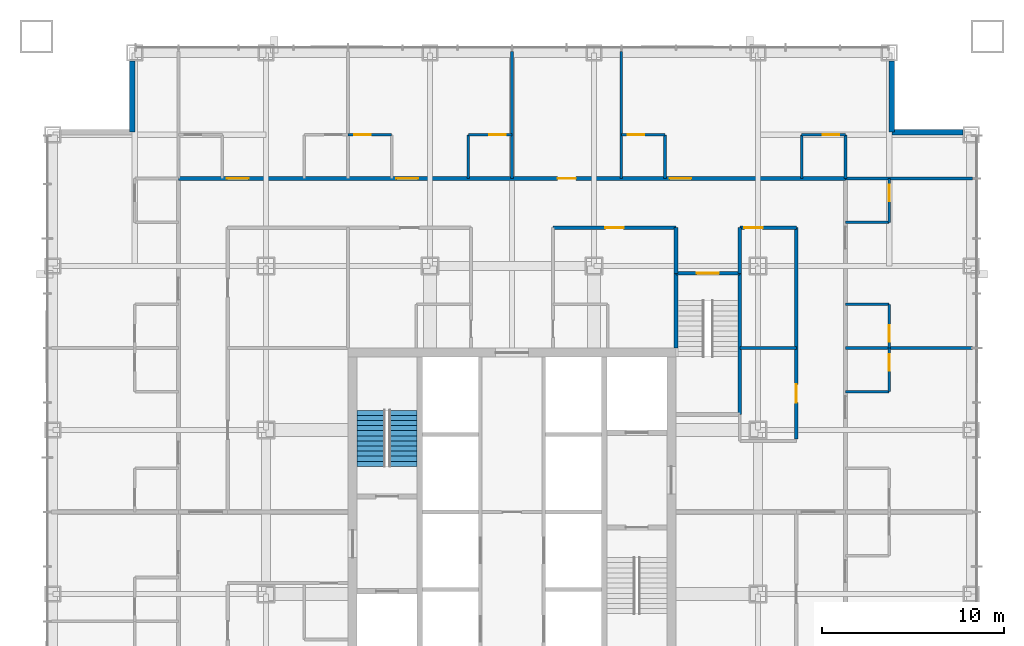
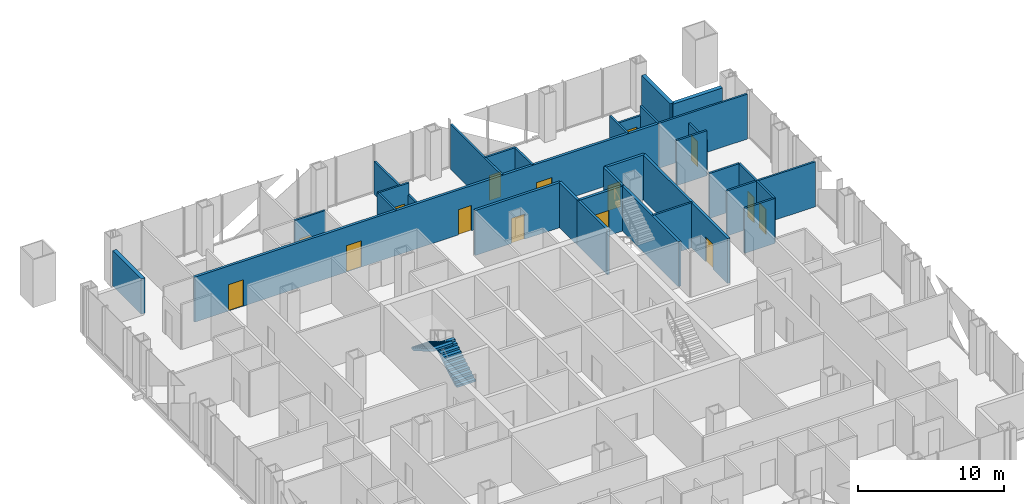
# One storey, part 11 of 13: 31 walls, 15 doors, 2 stair flights, 15 openings, 1 element without a shape of its own.
"""IFC4 building model written with IfcOpenShell, lengths in metres."""

from ifc_helpers import new_model, si_unit, direction, frame, frame_2d, origin, place, context, subcontext, project, spatial, polyline, rectangle, outline, extrude, material, layer, layer_set, type_object, element, fill, aggregate, save


model = new_model("IFC4")

# Units and contexts
model_context = context("Model", 3, precision=1e-05, world=origin(), true_north=direction((0.0, 1.0)))
body_context = subcontext(model_context, "Body", "Model", "MODEL_VIEW")
ifc_project = project(units=[si_unit("LENGTHUNIT", "METRE"), si_unit("AREAUNIT", "SQUARE_METRE"), si_unit("VOLUMEUNIT", "CUBIC_METRE"), si_unit("PLANEANGLEUNIT", "RADIAN"), si_unit("MASSUNIT", "GRAM", prefix="KILO")], contexts=[model_context])

# Site, building, storey
site_placement = place(None, origin())
site = spatial("IfcSite", under=ifc_project, at=site_placement, CompositionType="ELEMENT")
building_placement = place(site_placement, origin())
building = spatial("IfcBuilding", under=site, at=building_placement, Name="Malebo Sky Hospital", CompositionType="ELEMENT")
storey_placement = place(building_placement, frame((0.0, 0.0, 39.0)))
storey = spatial("IfcBuildingStorey", under=building, at=storey_placement, Name="L08", CompositionType="ELEMENT", Elevation=39.0)

# Wall, openings, doors
ifc_material_1 = material(Name="Gypsum board on steel studs", Category="steel")
ifc_layer_1 = layer(ifc_material_1, 0.199951171875)
ifc_layer_set_1 = layer_set([ifc_layer_1], Name="CORRIDOR WALL 200")
wall_type_1 = type_object("IfcWallType", Name="CORRIDOR WALL 200", PredefinedType="PARTITIONING", material=ifc_layer_set_1)
wall_1_placement = place(storey_placement, frame((41.699951171875, 80.300048828125, 0.0), z_axis=(0.0, 0.0, 1.0), x_axis=(1.0, 0.0, 0.0)))
wall_1 = element("IfcWall", 1, at=wall_1_placement, inside=storey, type_object=wall_type_1, Name="Corridor Wall 200 NCO", PredefinedType="PARTITIONING", context=body_context, shape_type="SweptSolid", body=[
    extrude(rectangle(XDim=36.60009765625, YDim=0.199951171875, at=frame_2d((18.300048828125, 0.0))), origin(), (0.0, 0.0, 1.0), 3.75),
])
opening_1_placement = place(wall_1_placement, frame((2.64990234375, 0.0, 0.0)))
opening_1 = element("IfcOpeningElement", 2, at=opening_1_placement, cuts=wall_1, Name="Opening D01", PredefinedType="OPENING", context=body_context, shape_type="SweptSolid", body=[
    extrude(rectangle(XDim=1.199951171875, YDim=2.199951171875, at=frame_2d((0.60009765625, 1.10009765625))), frame((0.0, 0.10986328125, 0.0), z_axis=(0.0, -1.0, 0.0), x_axis=(1.0, 0.0, 0.0)), (0.0, 0.0, 1.0), 0.219970703125),
])
opening_2_placement = place(wall_1_placement, frame((11.949951171875, 0.0, 0.0)))
opening_2 = element("IfcOpeningElement", 3, at=opening_2_placement, cuts=wall_1, Name="Opening D01", PredefinedType="OPENING", context=body_context, shape_type="SweptSolid", body=[
    extrude(rectangle(XDim=1.199951171875, YDim=2.199951171875, at=frame_2d((0.60009765625, 1.10009765625))), frame((0.0, 0.10986328125, 0.0), z_axis=(0.0, -1.0, 0.0), x_axis=(1.0, 0.0, 0.0)), (0.0, 0.0, 1.0), 0.219970703125),
])
opening_3_placement = place(wall_1_placement, frame((20.800048828125, 0.0, 0.0)))
opening_3 = element("IfcOpeningElement", 4, at=opening_3_placement, cuts=wall_1, Name="Opening D03", PredefinedType="OPENING", context=body_context, shape_type="SweptSolid", body=[
    extrude(rectangle(XDim=1.0, YDim=2.10009765625, at=frame_2d((0.5, 1.050048828125))), frame((0.0, 0.10986328125, 0.0), z_axis=(0.0, -1.0, 0.0), x_axis=(1.0, 0.0, 0.0)), (0.0, 0.0, 1.0), 0.219970703125),
])
opening_4_placement = place(wall_1_placement, frame((26.949951171875, 0.0, 0.0)))
opening_4 = element("IfcOpeningElement", 5, at=opening_4_placement, cuts=wall_1, Name="Opening D01", PredefinedType="OPENING", context=body_context, shape_type="SweptSolid", body=[
    extrude(rectangle(XDim=1.199951171875, YDim=2.199951171875, at=frame_2d((0.60009765625, 1.10009765625))), frame((0.0, 0.10986328125, 0.0), z_axis=(0.0, -1.0, 0.0), x_axis=(1.0, 0.0, 0.0)), (0.0, 0.0, 1.0), 0.219970703125),
])
ifc_material_2 = material(Name="Hardwood-faced door leaf in steel frame", Category="steel")
door_type_1 = type_object("IfcDoorType", Name="BED DOOR 1200", OperationType="SINGLE_SWING_LEFT", PredefinedType="DOOR", material=ifc_material_2)
door_1_placement = place(opening_1_placement, origin())
door_1 = element("IfcDoor", 6, at=door_1_placement, inside=storey, type_object=door_type_1, Name="Four-bed bay door", OperationType="SINGLE_SWING_LEFT", OverallHeight=2.199951171875, OverallWidth=1.199951171875, PredefinedType="DOOR", context=body_context, shape_type="SweptSolid", body=[
    extrude(rectangle(XDim=1.199951171875, YDim=2.199951171875, at=frame_2d((0.60009765625, 1.10009765625))), frame((0.0, 0.02490234375, 0.0), z_axis=(0.0, -1.0, 0.0), x_axis=(1.0, 0.0, 0.0)), (0.0, 0.0, 1.0), 0.050048828125),
])
fill(opening_1, door_1)
door_2_placement = place(opening_2_placement, origin())
door_2 = element("IfcDoor", 7, at=door_2_placement, inside=storey, type_object=door_type_1, Name="Four-bed bay door", OperationType="SINGLE_SWING_LEFT", OverallHeight=2.199951171875, OverallWidth=1.199951171875, PredefinedType="DOOR", context=body_context, shape_type="SweptSolid", body=[
    extrude(rectangle(XDim=1.199951171875, YDim=2.199951171875, at=frame_2d((0.60009765625, 1.10009765625))), frame((0.0, 0.02490234375, 0.0), z_axis=(0.0, -1.0, 0.0), x_axis=(1.0, 0.0, 0.0)), (0.0, 0.0, 1.0), 0.050048828125),
])
fill(opening_2, door_2)
door_3_placement = place(opening_4_placement, origin())
door_3 = element("IfcDoor", 8, at=door_3_placement, inside=storey, type_object=door_type_1, Name="Four-bed bay door", OperationType="SINGLE_SWING_LEFT", OverallHeight=2.199951171875, OverallWidth=1.199951171875, PredefinedType="DOOR", context=body_context, shape_type="SweptSolid", body=[
    extrude(rectangle(XDim=1.199951171875, YDim=2.199951171875, at=frame_2d((0.60009765625, 1.10009765625))), frame((0.0, 0.02490234375, 0.0), z_axis=(0.0, -1.0, 0.0), x_axis=(1.0, 0.0, 0.0)), (0.0, 0.0, 1.0), 0.050048828125),
])
fill(opening_4, door_3)
door_type_2 = type_object("IfcDoorType", Name="ROOM DOOR 1000", OperationType="SINGLE_SWING_LEFT", PredefinedType="DOOR", material=ifc_material_2)
door_4_placement = place(opening_3_placement, origin())
door_4 = element("IfcDoor", 9, at=door_4_placement, inside=storey, type_object=door_type_2, Name="Patient day room door", OperationType="SINGLE_SWING_LEFT", OverallHeight=2.10009765625, OverallWidth=1.0, PredefinedType="DOOR", context=body_context, shape_type="SweptSolid", body=[
    extrude(rectangle(XDim=1.0, YDim=2.10009765625, at=frame_2d((0.5, 1.050048828125))), frame((0.0, 0.02490234375, 0.0), z_axis=(0.0, -1.0, 0.0), x_axis=(1.0, 0.0, 0.0)), (0.0, 0.0, 1.0), 0.050048828125),
])
fill(opening_3, door_4)

# Wall, opening, door
wall_2_placement = place(storey_placement, frame((62.25, 77.60009765625, 0.0), z_axis=(0.0, 0.0, 1.0), x_axis=(1.0, 0.0, 0.0)))
wall_2 = element("IfcWall", 10, at=wall_2_placement, inside=storey, type_object=wall_type_1, Name="Corridor Wall 200 NCI2", PredefinedType="PARTITIONING", context=body_context, shape_type="SweptSolid", body=[
    extrude(rectangle(XDim=6.75, YDim=0.199951171875, at=frame_2d((3.375, 0.0))), origin(), (0.0, 0.0, 1.0), 3.75),
])
opening_5_placement = place(wall_2_placement, frame((2.875, 0.0, 0.0)))
opening_5 = element("IfcOpeningElement", 11, at=opening_5_placement, cuts=wall_2, Name="Opening D03", PredefinedType="OPENING", context=body_context, shape_type="SweptSolid", body=[
    extrude(rectangle(XDim=1.0, YDim=2.10009765625, at=frame_2d((0.5, 1.050048828125))), frame((0.0, 0.10986328125, 0.0), z_axis=(0.0, -1.0, 0.0), x_axis=(1.0, 0.0, 0.0)), (0.0, 0.0, 1.0), 0.219970703125),
])
door_5_placement = place(opening_5_placement, origin())
door_5 = element("IfcDoor", 12, at=door_5_placement, inside=storey, type_object=door_type_2, Name="Equipment store door", OperationType="SINGLE_SWING_RIGHT", OverallHeight=2.10009765625, OverallWidth=1.0, PredefinedType="DOOR", context=body_context, shape_type="SweptSolid", body=[
    extrude(rectangle(XDim=1.0, YDim=2.10009765625, at=frame_2d((0.5, 1.050048828125))), frame((0.0, 0.02490234375, 0.0), z_axis=(0.0, -1.0, 0.0), x_axis=(1.0, 0.0, 0.0)), (0.0, 0.0, 1.0), 0.050048828125),
])
fill(opening_5, door_5)

wall_3_placement = place(storey_placement, frame((72.5, 77.60009765625, 0.0), z_axis=(0.0, 0.0, 1.0), x_axis=(1.0, 0.0, 0.0)))
wall_3 = element("IfcWall", 13, at=wall_3_placement, inside=storey, type_object=wall_type_1, Name="Corridor Wall 200 NCI2/2", PredefinedType="PARTITIONING", context=body_context, shape_type="SweptSolid", body=[
    extrude(rectangle(XDim=3.10009765625, YDim=0.199951171875, at=frame_2d((1.550048828125, 0.0))), origin(), (0.0, 0.0, 1.0), 3.75),
])
opening_6_placement = place(wall_3_placement, frame((0.25, 0.0, 0.0)))
opening_6 = element("IfcOpeningElement", 14, at=opening_6_placement, cuts=wall_3, Name="Opening D03", PredefinedType="OPENING", context=body_context, shape_type="SweptSolid", body=[
    extrude(rectangle(XDim=1.0, YDim=2.10009765625, at=frame_2d((0.5, 1.050048828125))), frame((0.0, 0.10986328125, 0.0), z_axis=(0.0, -1.0, 0.0), x_axis=(1.0, 0.0, 0.0)), (0.0, 0.0, 1.0), 0.219970703125),
])
door_6_placement = place(opening_6_placement, origin())
door_6 = element("IfcDoor", 15, at=door_6_placement, inside=storey, type_object=door_type_2, Name="Interview room door", OperationType="SINGLE_SWING_LEFT", OverallHeight=2.10009765625, OverallWidth=1.0, PredefinedType="DOOR", context=body_context, shape_type="SweptSolid", body=[
    extrude(rectangle(XDim=1.0, YDim=2.10009765625, at=frame_2d((0.5, 1.050048828125))), frame((0.0, 0.02490234375, 0.0), z_axis=(0.0, -1.0, 0.0), x_axis=(1.0, 0.0, 0.0)), (0.0, 0.0, 1.0), 0.050048828125),
])
fill(opening_6, door_6)

wall_4_placement = place(storey_placement, frame((75.60009765625, 77.60009765625, 0.0), z_axis=(0.0, 0.0, 1.0), x_axis=(0.0, -1.0, 0.0)))
wall_4 = element("IfcWall", 16, at=wall_4_placement, inside=storey, type_object=wall_type_1, Name="Corridor Wall 200 ECI1", PredefinedType="PARTITIONING", context=body_context, shape_type="SweptSolid", body=[
    extrude(rectangle(XDim=11.60009765625, YDim=0.199951171875, at=frame_2d((5.800048828125, 0.0))), origin(), (0.0, 0.0, 1.0), 3.75),
])
opening_7_placement = place(wall_4_placement, frame((8.60009765625, 0.0, 0.0)))
opening_7 = element("IfcOpeningElement", 17, at=opening_7_placement, cuts=wall_4, Name="Opening D03", PredefinedType="OPENING", context=body_context, shape_type="SweptSolid", body=[
    extrude(rectangle(XDim=1.0, YDim=2.10009765625, at=frame_2d((0.5, 1.050048828125))), frame((0.0, 0.10986328125, 0.0), z_axis=(0.0, -1.0, 0.0), x_axis=(1.0, 0.0, 0.0)), (0.0, 0.0, 1.0), 0.219970703125),
])
door_7_placement = place(opening_7_placement, origin())
door_7 = element("IfcDoor", 18, at=door_7_placement, inside=storey, type_object=door_type_2, Name="Medication room door", OperationType="SINGLE_SWING_LEFT", OverallHeight=2.10009765625, OverallWidth=1.0, PredefinedType="DOOR", context=body_context, shape_type="SweptSolid", body=[
    extrude(rectangle(XDim=1.0, YDim=2.10009765625, at=frame_2d((0.5, 1.050048828125))), frame((0.0, 0.02490234375, 0.0), z_axis=(0.0, -1.0, 0.0), x_axis=(1.0, 0.0, 0.0)), (0.0, 0.0, 1.0), 0.050048828125),
])
fill(opening_7, door_7)

# Walls
for number, where, z_axis, x_axis, name in (
    (19, (69.0, 75.10009765625, 0.0), (0.0, 0.0, 1.0), (0.0, 1.0, 0.0), "Corridor Wall 200 ST3AW"),
    (20, (72.5, 75.10009765625, 0.0), (0.0, 0.0, 1.0), (0.0, 1.0, 0.0), "Corridor Wall 200 ST3AE"),
):
    element("IfcWall", number, at=place(storey_placement, frame(where, z_axis=z_axis, x_axis=x_axis)), inside=storey, type_object=wall_type_1, Name=name, PredefinedType="PARTITIONING", context=body_context, shape_type="SweptSolid", body=[
        extrude(rectangle(XDim=2.5, YDim=0.199951171875, at=frame_2d((1.25, 0.0))), origin(), (0.0, 0.0, 1.0), 3.75),
    ])
ifc_material_3 = material(Name="Anodised aluminium rainscreen on steel framing", Category="steel")
ifc_layer_2 = layer(ifc_material_3, 0.300048828125)
ifc_layer_set_2 = layer_set([ifc_layer_2], Name="NOTCH RAINSCREEN WALL 300")
wall_type_2 = type_object("IfcWallType", Name="NOTCH RAINSCREEN WALL 300", PredefinedType="ELEMENTEDWALL", material=ifc_layer_set_2)
for number, where, z_axis, x_axis, name in (
    (21, (80.85009765625, 86.75, 0.0), (0.0, 0.0, 1.0), (0.0, -1.0, 0.0), "Notch rainscreen wall N1 L08"),
    (22, (80.85009765625, 82.85009765625, 0.0), (0.0, 0.0, 1.0), (1.0, 0.0, 0.0), "Notch rainscreen wall N2 L08"),
    (23, (39.14990234375, 82.85009765625, 0.0), (0.0, 0.0, 1.0), (0.0, 1.0, 0.0), "Notch rainscreen wall W2 L08"),
):
    element("IfcWall", number, at=place(storey_placement, frame(where, z_axis=z_axis, x_axis=x_axis)), inside=storey, type_object=wall_type_2, Name=name, PredefinedType="ELEMENTEDWALL", context=body_context, shape_type="SweptSolid", body=[
        extrude(rectangle(XDim=3.89990234375, YDim=0.300048828125, at=frame_2d((1.949951171875, 0.0))), origin(), (0.0, 0.0, 1.0), 2.949951171875),
    ])
ifc_layer_3 = layer(ifc_material_1, 0.14990234375)
ifc_layer_set_3 = layer_set([ifc_layer_3], Name="PARTITION 150")
wall_type_3 = type_object("IfcWallType", Name="PARTITION 150", PredefinedType="PARTITIONING", material=ifc_layer_set_3)
wall_5_placement = place(storey_placement, frame((60.0, 80.300048828125, 0.0), z_axis=(0.0, 0.0, 1.0), x_axis=(0.0, 1.0, 0.0)))
element("IfcWall", 24, at=wall_5_placement, inside=storey, type_object=wall_type_3, Name="Partition 150 NP+0.0", PredefinedType="PARTITIONING", context=body_context, shape_type="SweptSolid", body=[
    extrude(rectangle(XDim=6.974853515625, YDim=0.14990234375, at=frame_2d((3.4873046875, 0.0))), origin(), (0.0, 0.0, 1.0), 2.75),
])
wall_6_placement = place(storey_placement, frame((66.0, 80.300048828125, 0.0), z_axis=(0.0, 0.0, 1.0), x_axis=(0.0, 1.0, 0.0)))
element("IfcWall", 25, at=wall_6_placement, inside=storey, type_object=wall_type_3, Name="Partition 150 NP+6.0", PredefinedType="PARTITIONING", context=body_context, shape_type="SweptSolid", body=[
    extrude(rectangle(XDim=6.974853515625, YDim=0.14990234375, at=frame_2d((3.4873046875, 0.0))), origin(), (0.0, 0.0, 1.0), 3.75),
])

# Wall, opening, door
wall_7_placement = place(storey_placement, frame((51.0, 82.699951171875, 0.0), z_axis=(0.0, 0.0, 1.0), x_axis=(1.0, 0.0, 0.0)))
wall_7 = element("IfcWall", 26, at=wall_7_placement, inside=storey, type_object=wall_type_3, Name="Partition 150 NE1F", PredefinedType="PARTITIONING", context=body_context, shape_type="SweptSolid", body=[
    extrude(rectangle(XDim=2.39990234375, YDim=0.14990234375, at=frame_2d((1.199951171875, 0.0))), origin(), (0.0, 0.0, 1.0), 3.75),
])
opening_8_placement = place(wall_7_placement, frame((0.35009765625, 0.0, 0.0)))
opening_8 = element("IfcOpeningElement", 27, at=opening_8_placement, cuts=wall_7, Name="Opening D02", PredefinedType="OPENING", context=body_context, shape_type="SweptSolid", body=[
    extrude(rectangle(XDim=0.89990234375, YDim=2.10009765625, at=frame_2d((0.449951171875, 1.050048828125))), frame((0.0, 0.0849609375, 0.0), z_axis=(0.0, -1.0, 0.0), x_axis=(1.0, 0.0, 0.0)), (0.0, 0.0, 1.0), 0.169921875),
])
door_type_3 = type_object("IfcDoorType", Name="EN-SUITE DOOR 900", OperationType="SINGLE_SWING_LEFT", PredefinedType="DOOR", material=ifc_material_2)
door_8_placement = place(opening_8_placement, origin())
door_8 = element("IfcDoor", 28, at=door_8_placement, inside=storey, type_object=door_type_3, Name="En-suite door", OperationType="SINGLE_SWING_LEFT", OverallHeight=2.10009765625, OverallWidth=0.89990234375, PredefinedType="DOOR", context=body_context, shape_type="SweptSolid", body=[
    extrude(rectangle(XDim=0.89990234375, YDim=2.10009765625, at=frame_2d((0.449951171875, 1.050048828125))), frame((0.0, 0.02490234375, 0.0), z_axis=(0.0, -1.0, 0.0), x_axis=(1.0, 0.0, 0.0)), (0.0, 0.0, 1.0), 0.050048828125),
])
fill(opening_8, door_8)

wall_8_placement = place(storey_placement, frame((57.60009765625, 82.699951171875, 0.0), z_axis=(0.0, 0.0, 1.0), x_axis=(1.0, 0.0, 0.0)))
wall_8 = element("IfcWall", 29, at=wall_8_placement, inside=storey, type_object=wall_type_3, Name="Partition 150 NG1F", PredefinedType="PARTITIONING", context=body_context, shape_type="SweptSolid", body=[
    extrude(rectangle(XDim=2.39990234375, YDim=0.14990234375, at=frame_2d((1.199951171875, 0.0))), origin(), (0.0, 0.0, 1.0), 3.75),
])
opening_9_placement = place(wall_8_placement, frame((1.14990234375, 0.0, 0.0)))
opening_9 = element("IfcOpeningElement", 30, at=opening_9_placement, cuts=wall_8, Name="Opening D02", PredefinedType="OPENING", context=body_context, shape_type="SweptSolid", body=[
    extrude(rectangle(XDim=0.89990234375, YDim=2.10009765625, at=frame_2d((0.449951171875, 1.050048828125))), frame((0.0, 0.0849609375, 0.0), z_axis=(0.0, -1.0, 0.0), x_axis=(1.0, 0.0, 0.0)), (0.0, 0.0, 1.0), 0.169921875),
])
door_9_placement = place(opening_9_placement, origin())
door_9 = element("IfcDoor", 31, at=door_9_placement, inside=storey, type_object=door_type_3, Name="En-suite door", OperationType="SINGLE_SWING_RIGHT", OverallHeight=2.10009765625, OverallWidth=0.89990234375, PredefinedType="DOOR", context=body_context, shape_type="SweptSolid", body=[
    extrude(rectangle(XDim=0.89990234375, YDim=2.10009765625, at=frame_2d((0.449951171875, 1.050048828125))), frame((0.0, 0.02490234375, 0.0), z_axis=(0.0, -1.0, 0.0), x_axis=(1.0, 0.0, 0.0)), (0.0, 0.0, 1.0), 0.050048828125),
])
fill(opening_9, door_9)

# Wall
wall_9_placement = place(storey_placement, frame((57.60009765625, 80.300048828125, 0.0), z_axis=(0.0, 0.0, 1.0), x_axis=(0.0, 1.0, 0.0)))
element("IfcWall", 32, at=wall_9_placement, inside=storey, type_object=wall_type_3, Name="Partition 150 NG1S", PredefinedType="PARTITIONING", context=body_context, shape_type="SweptSolid", body=[
    extrude(rectangle(XDim=2.39990234375, YDim=0.14990234375, at=frame_2d((1.199951171875, 0.0))), origin(), (0.0, 0.0, 1.0), 3.75),
])

# Wall, opening, door
wall_10_placement = place(storey_placement, frame((66.0, 82.699951171875, 0.0), z_axis=(0.0, 0.0, 1.0), x_axis=(1.0, 0.0, 0.0)))
wall_10 = element("IfcWall", 33, at=wall_10_placement, inside=storey, type_object=wall_type_3, Name="Partition 150 NE3F", PredefinedType="PARTITIONING", context=body_context, shape_type="SweptSolid", body=[
    extrude(rectangle(XDim=2.39990234375, YDim=0.14990234375, at=frame_2d((1.199951171875, 0.0))), origin(), (0.0, 0.0, 1.0), 3.75),
])
opening_10_placement = place(wall_10_placement, frame((0.35009765625, 0.0, 0.0)))
opening_10 = element("IfcOpeningElement", 34, at=opening_10_placement, cuts=wall_10, Name="Opening D02", PredefinedType="OPENING", context=body_context, shape_type="SweptSolid", body=[
    extrude(rectangle(XDim=0.89990234375, YDim=2.10009765625, at=frame_2d((0.449951171875, 1.050048828125))), frame((0.0, 0.0849609375, 0.0), z_axis=(0.0, -1.0, 0.0), x_axis=(1.0, 0.0, 0.0)), (0.0, 0.0, 1.0), 0.169921875),
])
door_10_placement = place(opening_10_placement, origin())
door_10 = element("IfcDoor", 35, at=door_10_placement, inside=storey, type_object=door_type_3, Name="En-suite door", OperationType="SINGLE_SWING_LEFT", OverallHeight=2.10009765625, OverallWidth=0.89990234375, PredefinedType="DOOR", context=body_context, shape_type="SweptSolid", body=[
    extrude(rectangle(XDim=0.89990234375, YDim=2.10009765625, at=frame_2d((0.449951171875, 1.050048828125))), frame((0.0, 0.02490234375, 0.0), z_axis=(0.0, -1.0, 0.0), x_axis=(1.0, 0.0, 0.0)), (0.0, 0.0, 1.0), 0.050048828125),
])
fill(opening_10, door_10)

# Wall
wall_11_placement = place(storey_placement, frame((68.39990234375, 80.300048828125, 0.0), z_axis=(0.0, 0.0, 1.0), x_axis=(0.0, 1.0, 0.0)))
element("IfcWall", 36, at=wall_11_placement, inside=storey, type_object=wall_type_3, Name="Partition 150 NE3S", PredefinedType="PARTITIONING", context=body_context, shape_type="SweptSolid", body=[
    extrude(rectangle(XDim=2.39990234375, YDim=0.14990234375, at=frame_2d((1.199951171875, 0.0))), origin(), (0.0, 0.0, 1.0), 3.75),
])

# Wall, opening, door
wall_12_placement = place(storey_placement, frame((75.89990234375, 82.699951171875, 0.0), z_axis=(0.0, 0.0, 1.0), x_axis=(1.0, 0.0, 0.0)))
wall_12 = element("IfcWall", 37, at=wall_12_placement, inside=storey, type_object=wall_type_3, Name="Partition 150 NG3F", PredefinedType="PARTITIONING", context=body_context, shape_type="SweptSolid", body=[
    extrude(rectangle(XDim=2.400146484375, YDim=0.14990234375, at=frame_2d((1.2001953125, 0.0))), origin(), (0.0, 0.0, 1.0), 2.949951171875),
])
opening_11_placement = place(wall_12_placement, frame((1.14990234375, 0.0, 0.0)))
opening_11 = element("IfcOpeningElement", 38, at=opening_11_placement, cuts=wall_12, Name="Opening D02", PredefinedType="OPENING", context=body_context, shape_type="SweptSolid", body=[
    extrude(rectangle(XDim=0.89990234375, YDim=2.10009765625, at=frame_2d((0.449951171875, 1.050048828125))), frame((0.0, 0.0849609375, 0.0), z_axis=(0.0, -1.0, 0.0), x_axis=(1.0, 0.0, 0.0)), (0.0, 0.0, 1.0), 0.169921875),
])
door_11_placement = place(opening_11_placement, origin())
door_11 = element("IfcDoor", 39, at=door_11_placement, inside=storey, type_object=door_type_3, Name="En-suite door", OperationType="SINGLE_SWING_RIGHT", OverallHeight=2.10009765625, OverallWidth=0.89990234375, PredefinedType="DOOR", context=body_context, shape_type="SweptSolid", body=[
    extrude(rectangle(XDim=0.89990234375, YDim=2.10009765625, at=frame_2d((0.449951171875, 1.050048828125))), frame((0.0, 0.02490234375, 0.0), z_axis=(0.0, -1.0, 0.0), x_axis=(1.0, 0.0, 0.0)), (0.0, 0.0, 1.0), 0.050048828125),
])
fill(opening_11, door_11)

# Walls
for number, where, z_axis, x_axis, name in (
    (40, (75.89990234375, 80.300048828125, 0.0), (0.0, 0.0, 1.0), (0.0, 1.0, 0.0), "Partition 150 NG3S"),
    (41, (78.300048828125, 80.300048828125, 0.0), (0.0, 0.0, 1.0), (0.0, 1.0, 0.0), "Partition 150 NEZ"),
):
    element("IfcWall", number, at=place(storey_placement, frame(where, z_axis=z_axis, x_axis=x_axis)), inside=storey, type_object=wall_type_3, Name=name, PredefinedType="PARTITIONING", context=body_context, shape_type="SweptSolid", body=[
        extrude(rectangle(XDim=2.39990234375, YDim=0.14990234375, at=frame_2d((1.199951171875, 0.0))), origin(), (0.0, 0.0, 1.0), 3.75),
    ])
for number, where, z_axis, x_axis, name in (
    (42, (78.300048828125, 71.0, 0.0), (0.0, 0.0, 1.0), (1.0, 0.0, 0.0), "Partition 150 EP-9.0"),
    (43, (78.300048828125, 80.300048828125, 0.0), (0.0, 0.0, 1.0), (1.0, 0.0, 0.0), "Partition 150 EP0"),
):
    element("IfcWall", number, at=place(storey_placement, frame(where, z_axis=z_axis, x_axis=x_axis)), inside=storey, type_object=wall_type_3, Name=name, PredefinedType="PARTITIONING", context=body_context, shape_type="SweptSolid", body=[
        extrude(rectangle(XDim=6.974853515625, YDim=0.14990234375, at=frame_2d((3.4873046875, 0.0))), origin(), (0.0, 0.0, 1.0), 3.75),
    ])

# Wall, opening, door
wall_13_placement = place(storey_placement, frame((80.699951171875, 80.300048828125, 0.0), z_axis=(0.0, 0.0, 1.0), x_axis=(0.0, -1.0, 0.0)))
wall_13 = element("IfcWall", 44, at=wall_13_placement, inside=storey, type_object=wall_type_3, Name="Partition 150 EE0F", PredefinedType="PARTITIONING", context=body_context, shape_type="SweptSolid", body=[
    extrude(rectangle(XDim=2.400146484375, YDim=0.14990234375, at=frame_2d((1.2001953125, 0.0))), origin(), (0.0, 0.0, 1.0), 2.949951171875),
])
opening_12_placement = place(wall_13_placement, frame((0.35009765625, 0.0, 0.0)))
opening_12 = element("IfcOpeningElement", 45, at=opening_12_placement, cuts=wall_13, Name="Opening D02", PredefinedType="OPENING", context=body_context, shape_type="SweptSolid", body=[
    extrude(rectangle(XDim=0.89990234375, YDim=2.10009765625, at=frame_2d((0.449951171875, 1.050048828125))), frame((0.0, 0.0849609375, 0.0), z_axis=(0.0, -1.0, 0.0), x_axis=(1.0, 0.0, 0.0)), (0.0, 0.0, 1.0), 0.169921875),
])
door_12_placement = place(opening_12_placement, origin())
door_12 = element("IfcDoor", 46, at=door_12_placement, inside=storey, type_object=door_type_3, Name="En-suite door", OperationType="SINGLE_SWING_LEFT", OverallHeight=2.10009765625, OverallWidth=0.89990234375, PredefinedType="DOOR", context=body_context, shape_type="SweptSolid", body=[
    extrude(rectangle(XDim=0.89990234375, YDim=2.10009765625, at=frame_2d((0.449951171875, 1.050048828125))), frame((0.0, 0.02490234375, 0.0), z_axis=(0.0, -1.0, 0.0), x_axis=(1.0, 0.0, 0.0)), (0.0, 0.0, 1.0), 0.050048828125),
])
fill(opening_12, door_12)

# Wall
wall_14_placement = place(storey_placement, frame((78.300048828125, 77.89990234375, 0.0), z_axis=(0.0, 0.0, 1.0), x_axis=(1.0, 0.0, 0.0)))
element("IfcWall", 47, at=wall_14_placement, inside=storey, type_object=wall_type_3, Name="Partition 150 EE0S", PredefinedType="PARTITIONING", context=body_context, shape_type="SweptSolid", body=[
    extrude(rectangle(XDim=2.39990234375, YDim=0.14990234375, at=frame_2d((1.199951171875, 0.0))), origin(), (0.0, 0.0, 1.0), 3.75),
])

# Wall, opening, door
wall_15_placement = place(storey_placement, frame((80.699951171875, 73.39990234375, 0.0), z_axis=(0.0, 0.0, 1.0), x_axis=(0.0, -1.0, 0.0)))
wall_15 = element("IfcWall", 48, at=wall_15_placement, inside=storey, type_object=wall_type_3, Name="Partition 150 EG0F", PredefinedType="PARTITIONING", context=body_context, shape_type="SweptSolid", body=[
    extrude(rectangle(XDim=2.39990234375, YDim=0.14990234375, at=frame_2d((1.199951171875, 0.0))), origin(), (0.0, 0.0, 1.0), 3.75),
])
opening_13_placement = place(wall_15_placement, frame((1.14990234375, 0.0, 0.0)))
opening_13 = element("IfcOpeningElement", 49, at=opening_13_placement, cuts=wall_15, Name="Opening D02", PredefinedType="OPENING", context=body_context, shape_type="SweptSolid", body=[
    extrude(rectangle(XDim=0.89990234375, YDim=2.10009765625, at=frame_2d((0.449951171875, 1.050048828125))), frame((0.0, 0.0849609375, 0.0), z_axis=(0.0, -1.0, 0.0), x_axis=(1.0, 0.0, 0.0)), (0.0, 0.0, 1.0), 0.169921875),
])
door_13_placement = place(opening_13_placement, origin())
door_13 = element("IfcDoor", 50, at=door_13_placement, inside=storey, type_object=door_type_3, Name="En-suite door", OperationType="SINGLE_SWING_RIGHT", OverallHeight=2.10009765625, OverallWidth=0.89990234375, PredefinedType="DOOR", context=body_context, shape_type="SweptSolid", body=[
    extrude(rectangle(XDim=0.89990234375, YDim=2.10009765625, at=frame_2d((0.449951171875, 1.050048828125))), frame((0.0, 0.02490234375, 0.0), z_axis=(0.0, -1.0, 0.0), x_axis=(1.0, 0.0, 0.0)), (0.0, 0.0, 1.0), 0.050048828125),
])
fill(opening_13, door_13)

# Wall
wall_16_placement = place(storey_placement, frame((78.300048828125, 73.39990234375, 0.0), z_axis=(0.0, 0.0, 1.0), x_axis=(1.0, 0.0, 0.0)))
element("IfcWall", 51, at=wall_16_placement, inside=storey, type_object=wall_type_3, Name="Partition 150 EG0S", PredefinedType="PARTITIONING", context=body_context, shape_type="SweptSolid", body=[
    extrude(rectangle(XDim=2.39990234375, YDim=0.14990234375, at=frame_2d((1.199951171875, 0.0))), origin(), (0.0, 0.0, 1.0), 3.75),
])

# Wall, opening, door
wall_17_placement = place(storey_placement, frame((80.699951171875, 71.0, 0.0), z_axis=(0.0, 0.0, 1.0), x_axis=(0.0, -1.0, 0.0)))
wall_17 = element("IfcWall", 52, at=wall_17_placement, inside=storey, type_object=wall_type_3, Name="Partition 150 EE1F", PredefinedType="PARTITIONING", context=body_context, shape_type="SweptSolid", body=[
    extrude(rectangle(XDim=2.39990234375, YDim=0.14990234375, at=frame_2d((1.199951171875, 0.0))), origin(), (0.0, 0.0, 1.0), 3.75),
])
opening_14_placement = place(wall_17_placement, frame((0.35009765625, 0.0, 0.0)))
opening_14 = element("IfcOpeningElement", 53, at=opening_14_placement, cuts=wall_17, Name="Opening D02", PredefinedType="OPENING", context=body_context, shape_type="SweptSolid", body=[
    extrude(rectangle(XDim=0.89990234375, YDim=2.10009765625, at=frame_2d((0.449951171875, 1.050048828125))), frame((0.0, 0.0849609375, 0.0), z_axis=(0.0, -1.0, 0.0), x_axis=(1.0, 0.0, 0.0)), (0.0, 0.0, 1.0), 0.169921875),
])
door_14_placement = place(opening_14_placement, origin())
door_14 = element("IfcDoor", 54, at=door_14_placement, inside=storey, type_object=door_type_3, Name="En-suite door", OperationType="SINGLE_SWING_LEFT", OverallHeight=2.10009765625, OverallWidth=0.89990234375, PredefinedType="DOOR", context=body_context, shape_type="SweptSolid", body=[
    extrude(rectangle(XDim=0.89990234375, YDim=2.10009765625, at=frame_2d((0.449951171875, 1.050048828125))), frame((0.0, 0.02490234375, 0.0), z_axis=(0.0, -1.0, 0.0), x_axis=(1.0, 0.0, 0.0)), (0.0, 0.0, 1.0), 0.050048828125),
])
fill(opening_14, door_14)

# Walls
wall_18_placement = place(storey_placement, frame((78.300048828125, 68.60009765625, 0.0), z_axis=(0.0, 0.0, 1.0), x_axis=(1.0, 0.0, 0.0)))
element("IfcWall", 55, at=wall_18_placement, inside=storey, type_object=wall_type_3, Name="Partition 150 EE1S", PredefinedType="PARTITIONING", context=body_context, shape_type="SweptSolid", body=[
    extrude(rectangle(XDim=2.39990234375, YDim=0.14990234375, at=frame_2d((1.199951171875, 0.0))), origin(), (0.0, 0.0, 1.0), 3.75),
])
wall_19_placement = place(storey_placement, frame((72.5, 71.0, 0.0), z_axis=(0.0, 0.0, 1.0), x_axis=(1.0, 0.0, 0.0)))
element("IfcWall", 56, at=wall_19_placement, inside=storey, type_object=wall_type_3, Name="Partition 150 ESP0", PredefinedType="PARTITIONING", context=body_context, shape_type="SweptSolid", body=[
    extrude(rectangle(XDim=3.10009765625, YDim=0.14990234375, at=frame_2d((1.550048828125, 0.0))), origin(), (0.0, 0.0, 1.0), 3.75),
])
ifc_material_4 = material(Name="Concrete C40/50", Category="concrete")
ifc_layer_4 = layer(ifc_material_4, 0.199951171875)
ifc_layer_set_4 = layer_set([ifc_layer_4], Name="STAIR ENCLOSURE WALL 200")
wall_type_4 = type_object("IfcWallType", Name="STAIR ENCLOSURE WALL 200", PredefinedType="SOLIDWALL", material=ifc_layer_set_4)
wall_20_placement = place(storey_placement, frame((69.0, 71.0, 0.0), z_axis=(0.0, 0.0, 1.0), x_axis=(0.0, 1.0, 0.0)))
element("IfcWall", 57, at=wall_20_placement, inside=storey, type_object=wall_type_4, Name="Stair Enclosure Wall 200 ST3W", PredefinedType="SOLIDWALL", context=body_context, shape_type="SweptSolid", body=[
    extrude(rectangle(XDim=4.10009765625, YDim=0.199951171875, at=frame_2d((2.050048828125, 0.0))), origin(), (0.0, 0.0, 1.0), 3.75),
])
wall_21_placement = place(storey_placement, frame((72.5, 67.35009765625, 0.0), z_axis=(0.0, 0.0, 1.0), x_axis=(0.0, 1.0, 0.0)))
element("IfcWall", 58, at=wall_21_placement, inside=storey, type_object=wall_type_4, Name="Stair Enclosure Wall 200 ST3E", PredefinedType="SOLIDWALL", context=body_context, shape_type="SweptSolid", body=[
    extrude(rectangle(XDim=7.75, YDim=0.199951171875, at=frame_2d((3.875, 0.0))), origin(), (0.0, 0.0, 1.0), 3.75),
])

# Wall, opening, door
wall_22_placement = place(storey_placement, frame((69.0, 75.10009765625, 0.0), z_axis=(0.0, 0.0, 1.0), x_axis=(1.0, 0.0, 0.0)))
wall_22 = element("IfcWall", 59, at=wall_22_placement, inside=storey, type_object=wall_type_4, Name="Stair Enclosure Wall 200 ST3N", PredefinedType="SOLIDWALL", context=body_context, shape_type="SweptSolid", body=[
    extrude(rectangle(XDim=3.5, YDim=0.199951171875, at=frame_2d((1.75, 0.0))), origin(), (0.0, 0.0, 1.0), 3.75),
])
opening_15_placement = place(wall_22_placement, frame((1.14990234375, 0.0, 0.0)))
opening_15 = element("IfcOpeningElement", 60, at=opening_15_placement, cuts=wall_22, Name="Opening D08", PredefinedType="OPENING", context=body_context, shape_type="SweptSolid", body=[
    extrude(rectangle(XDim=1.199951171875, YDim=2.10009765625, at=frame_2d((0.60009765625, 1.050048828125))), frame((0.0, 0.10986328125, 0.0), z_axis=(0.0, -1.0, 0.0), x_axis=(1.0, 0.0, 0.0)), (0.0, 0.0, 1.0), 0.219970703125),
])
door_type_4 = type_object("IfcDoorType", Name="STAIR DOOR 1200", OperationType="SINGLE_SWING_LEFT", PredefinedType="DOOR", material=ifc_material_2)
door_15_placement = place(opening_15_placement, origin())
door_15 = element("IfcDoor", 61, at=door_15_placement, inside=storey, type_object=door_type_4, Name="Stair S3 door", OperationType="SINGLE_SWING_LEFT", OverallHeight=2.10009765625, OverallWidth=1.199951171875, PredefinedType="DOOR", context=body_context, shape_type="SweptSolid", body=[
    extrude(rectangle(XDim=1.199951171875, YDim=2.10009765625, at=frame_2d((0.60009765625, 1.050048828125))), frame((0.0, 0.02490234375, 0.0), z_axis=(0.0, -1.0, 0.0), x_axis=(1.0, 0.0, 0.0)), (0.0, 0.0, 1.0), 0.050048828125),
])
fill(opening_15, door_15)

# Stair, stair flights
stair_type = type_object("IfcStairType", Name="HALF-TURN STAIR 1500 R167", PredefinedType="HALF_TURN_STAIR", material=ifc_material_4)
stair_placement = place(storey_placement, origin())
stair = element("IfcStair", 62, at=stair_placement, inside=storey, type_object=stair_type, Name="Stair S1 L08 type ST1", PredefinedType="HALF_TURN_STAIR")
stair_flight_type = type_object("IfcStairFlightType", Name="STAIR FLIGHT 1500 R167", PredefinedType="STRAIGHT", material=ifc_material_4)
stair_flight_1_placement = place(storey_placement, frame((54.050048828125, 64.5, 0.0), z_axis=(0.0, 0.0, 1.0), x_axis=(0.0, 1.0, 0.0)))
stair_flight_1 = element("IfcStairFlight", 63, at=stair_flight_1_placement, type_object=stair_flight_type, Name="S1 flight 1 type SF1", NumberOfRisers=12, NumberOfTreads=11, PredefinedType="STRAIGHT", RiserHeight=0.166666667, TreadLength=0.28, context=body_context, shape_type="SweptSolid", body=[
    extrude(outline(polyline([(0.0, 0.0), (0.0, 0.166748046875), (0.280029296875, 0.166748046875), (0.280029296875, 0.333251953125), (0.56005859375, 0.333251953125), (0.56005859375, 0.5), (0.840087890625, 0.5), (0.840087890625, 0.666748046875), (1.1201171875, 0.666748046875), (1.1201171875, 0.833251953125), (1.39990234375, 0.833251953125), (1.39990234375, 1.0), (1.679931640625, 1.0), (1.679931640625, 1.166748046875), (1.9599609375, 1.166748046875), (1.9599609375, 1.333251953125), (2.239990234375, 1.333251953125), (2.239990234375, 1.5), (2.52001953125, 1.5), (2.52001953125, 1.666748046875), (2.800048828125, 1.666748046875), (2.800048828125, 1.833251953125), (3.080078125, 1.833251953125), (3.080078125, 2.0), (3.080078125, 1.658935546875), (0.29296875, 0.0), (0.0, 0.0)])), frame((0.0, 0.75, 0.0), z_axis=(0.0, -1.0, 0.0), x_axis=(1.0, 0.0, 0.0)), (0.0, 0.0, 1.0), 1.5),
])
stair_flight_2_placement = place(storey_placement, frame((52.25, 67.580078125, 2.0), z_axis=(0.0, 0.0, 1.0), x_axis=(0.0, -1.0, 0.0)))
stair_flight_2 = element("IfcStairFlight", 64, at=stair_flight_2_placement, type_object=stair_flight_type, Name="S1 flight 2 type SF1", NumberOfRisers=12, NumberOfTreads=11, PredefinedType="STRAIGHT", RiserHeight=0.166666667, TreadLength=0.28, context=body_context, shape_type="SweptSolid", body=[
    extrude(outline(polyline([(0.0, 0.0), (0.0, 0.166748046875), (0.280029296875, 0.166748046875), (0.280029296875, 0.333251953125), (0.56005859375, 0.333251953125), (0.56005859375, 0.5), (0.840087890625, 0.5), (0.840087890625, 0.666748046875), (1.1201171875, 0.666748046875), (1.1201171875, 0.833251953125), (1.39990234375, 0.833251953125), (1.39990234375, 1.0), (1.679931640625, 1.0), (1.679931640625, 1.166748046875), (1.9599609375, 1.166748046875), (1.9599609375, 1.333251953125), (2.239990234375, 1.333251953125), (2.239990234375, 1.5), (2.52001953125, 1.5), (2.52001953125, 1.666748046875), (2.800048828125, 1.666748046875), (2.800048828125, 1.833251953125), (3.080078125, 1.833251953125), (3.080078125, 2.0), (3.080078125, 1.658935546875), (0.29296875, 0.0), (0.0, 0.0)])), frame((0.0, 0.75, 0.0), z_axis=(0.0, -1.0, 0.0), x_axis=(1.0, 0.0, 0.0)), (0.0, 0.0, 1.0), 1.5),
])
aggregate(stair, [stair_flight_1, stair_flight_2])

save(model, "model.ifc")
